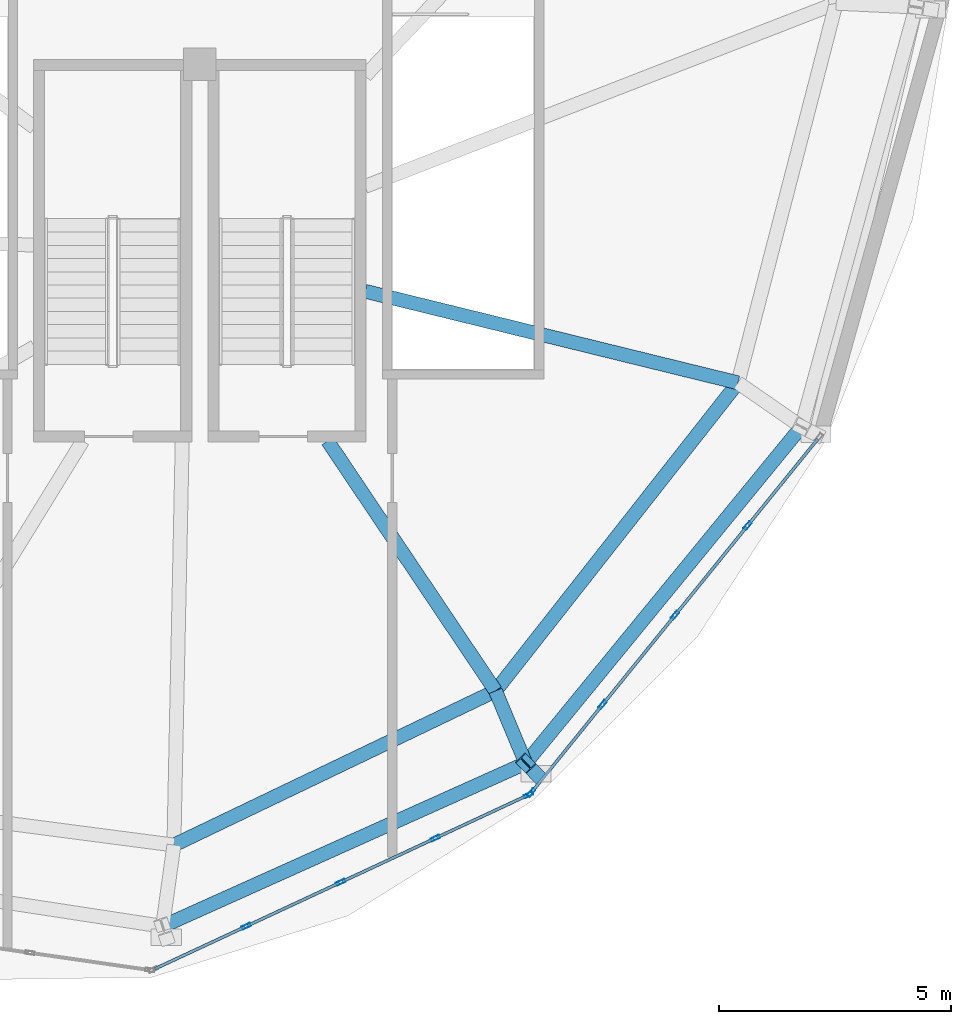
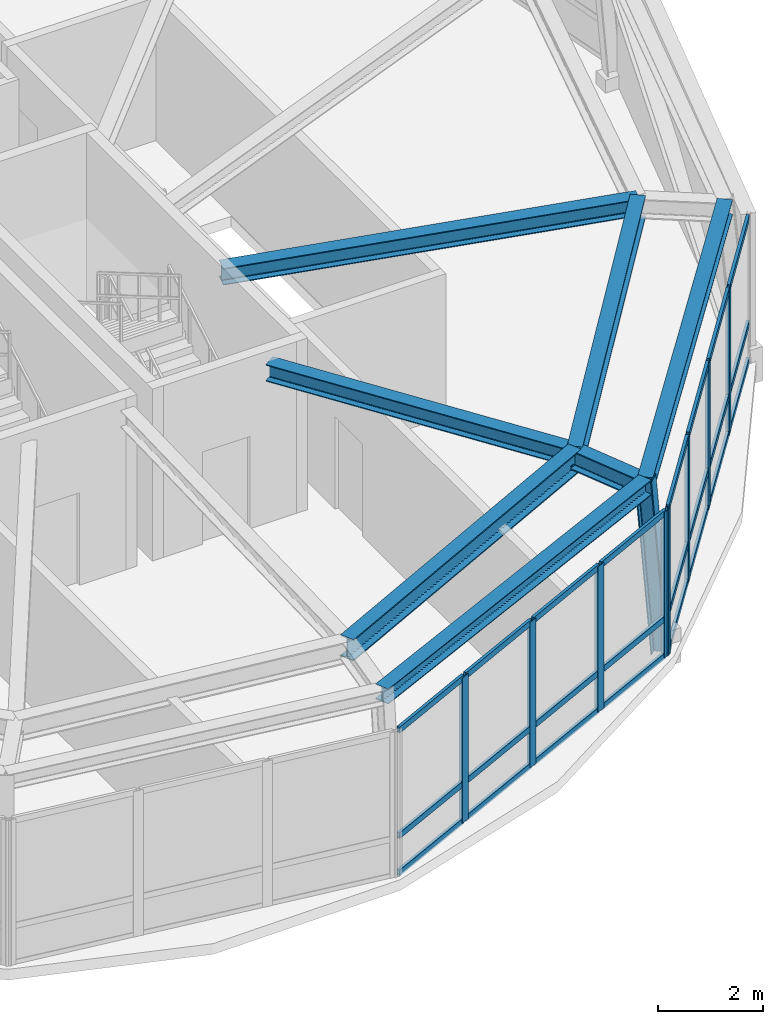
# One storey, part 4 of 14: 33 members, 7 beams, 2 elements without a shape of their own.
"""IFC4 building model written with IfcOpenShell, lengths in metres."""

import ifcopenshell
import ifcopenshell.guid

model = None  # the IFC model being written
_history = None  # IfcOwnerHistory: only IFC2X3 demands one
_inside = {}  # id of a spatial element -> (the spatial element, [elements in it])
_under = {}  # id of a project, library or spatial element -> (it, [spatial elements below it])
_declared = {}  # id of a project -> (the project, [libraries it declares])
_typed = {}  # id of a type object -> (the type object, [elements of that type])
_made_of = {}  # id of a material, layer set ... -> (it, [elements and type objects made of it])


def new_model(schema):
    """Start an empty IFC model of exactly this schema.

    Asked for "IFC4X3", IfcOpenShell would pick the latest addendum, in which some entities
    have other attributes; the version numbers below select the first issue.
    IFC2X3 requires an IfcOwnerHistory on every rooted entity: one is made here for all.
    """
    global model, _history
    if schema == "IFC4X3":
        model = ifcopenshell.file(schema_version=(4, 3, 0, 0))
    else:
        model = ifcopenshell.file(schema=schema)
    _inside.clear()
    _under.clear()
    _declared.clear()
    _typed.clear()
    _made_of.clear()
    _history = None
    if model.schema == "IFC2X3":
        org = make("IfcOrganization", Name="unknown")
        user = make(
            "IfcPersonAndOrganization",
            ThePerson=make("IfcPerson", FamilyName="unknown"),
            TheOrganization=org,
        )
        app = make(
            "IfcApplication",
            ApplicationDeveloper=org,
            Version="unknown",
            ApplicationFullName="unknown",
            ApplicationIdentifier="unknown",
        )
        _history = make(
            "IfcOwnerHistory",
            OwningUser=user,
            OwningApplication=app,
            ChangeAction="ADDED",
            CreationDate=0,
        )
    return model


def make(cls, **values):
    """One entity of the class cls with the attributes given. An attribute that is None is left unset."""
    return model.create_entity(
        cls, **{name: value for name, value in values.items() if value is not None}
    )


def rooted(cls, **values):
    """An entity with a GlobalId (a new one), such as an element, a storey or a relation."""
    return make(cls, GlobalId=ifcopenshell.guid.new(), OwnerHistory=_history, **values)


def si_unit(unit_type, name, prefix=None):
    """IfcSIUnit, for example si_unit("LENGTHUNIT", "METRE", prefix="MILLI")."""
    return make("IfcSIUnit", UnitType=unit_type, Prefix=prefix, Name=name)


def assignment(units):
    """IfcUnitAssignment: the units of a project."""
    return None if units is None else make("IfcUnitAssignment", Units=units)


def point(xyz):
    """IfcCartesianPoint."""
    return None if xyz is None else make("IfcCartesianPoint", Coordinates=xyz)


def direction(xyz):
    """IfcDirection."""
    return None if xyz is None else make("IfcDirection", DirectionRatios=xyz)


def frame(location, z_axis=None, x_axis=None):
    """IfcAxis2Placement3D, a coordinate frame: its origin and axes. An axis left out is left unset."""
    return make(
        "IfcAxis2Placement3D",
        Location=point(location),
        Axis=direction(z_axis),
        RefDirection=direction(x_axis),
    )


def frame_2d(location, x_axis=None):
    """IfcAxis2Placement2D, a coordinate frame in the plane: its origin and x axis."""
    return make(
        "IfcAxis2Placement2D", Location=point(location), RefDirection=direction(x_axis)
    )


def origin():
    """The frame at (0, 0, 0) with its axes left unset."""
    return frame((0.0, 0.0, 0.0))


def origin_2d():
    """The frame at (0, 0) in the plane with its x axis left unset."""
    return frame_2d((0.0, 0.0))


def place(relative_to, where):
    """IfcLocalPlacement: puts the frame where relative to a parent placement (None: the world)."""
    return make(
        "IfcLocalPlacement", PlacementRelTo=relative_to, RelativePlacement=where
    )


def context(
    kind, dimensions, precision=None, world=None, true_north=None, identifier=None
):
    """IfcGeometricRepresentationContext, for example the 3D "Model" context."""
    return make(
        "IfcGeometricRepresentationContext",
        ContextIdentifier=identifier,
        ContextType=kind,
        CoordinateSpaceDimension=dimensions,
        Precision=precision,
        WorldCoordinateSystem=world,
        TrueNorth=true_north,
    )


def subcontext(parent, identifier, kind, view, scale=None):
    """IfcGeometricRepresentationSubContext, for example "Body" below "Model"."""
    return make(
        "IfcGeometricRepresentationSubContext",
        ContextIdentifier=identifier,
        ContextType=kind,
        ParentContext=parent,
        TargetScale=scale,
        TargetView=view,
    )


def project(units=None, contexts=None):
    """IfcProject with its units and contexts."""
    return rooted(
        "IfcProject",
        Name="project",
        RepresentationContexts=contexts,
        UnitsInContext=assignment(units),
    )


def spatial(cls, under=None, at=None, **own):
    """A site, building, storey or space (cls), placed at a placement, below another one or the project."""
    s = rooted(cls, ObjectPlacement=at, **own)
    if under is not None:
        _under.setdefault(under.id(), (under, []))[1].append(s)
    return s


def profile(cls, at=None, kind="AREA", **sizes):
    """A parametric profile (cls). Its sizes go by their IFC names, for example OverallWidth=200.0."""
    return make(cls, ProfileType=kind, Position=at, **sizes)


def hollow_rectangle(**sizes):
    """IfcRectangleHollowProfileDef."""
    return profile("IfcRectangleHollowProfileDef", **sizes)


def i_section(**sizes):
    """IfcIShapeProfileDef."""
    return profile("IfcIShapeProfileDef", **sizes)


def extrude(swept, where, along, depth):
    """IfcExtrudedAreaSolid: the profile swept, set in the frame where, extruded along a direction by depth."""
    return make(
        "IfcExtrudedAreaSolid",
        SweptArea=swept,
        Position=where,
        ExtrudedDirection=direction(along),
        Depth=depth,
    )


def shape(context_of_items, identifier, shape_type, items):
    """IfcShapeRepresentation: the items that make up one representation, for example the "Body"."""
    return make(
        "IfcShapeRepresentation",
        ContextOfItems=context_of_items,
        RepresentationIdentifier=identifier,
        RepresentationType=shape_type,
        Items=items,
    )


def material(Name=None, Category=None):
    """IfcMaterial."""
    return make("IfcMaterial", Name=Name, Category=Category)


def layer(
    of_material, thickness, ventilated=None, Name=None, Category=None, Priority=None
):
    """IfcMaterialLayer: one layer of a wall or slab, of a material (None: an air gap)."""
    return make(
        "IfcMaterialLayer",
        Material=of_material,
        LayerThickness=thickness,
        IsVentilated=ventilated,
        Name=Name,
        Category=Category,
        Priority=Priority,
    )


def layer_set(layers, Name=None):
    """IfcMaterialLayerSet."""
    return make("IfcMaterialLayerSet", MaterialLayers=layers, LayerSetName=Name)


def material_profile(
    of_material, cross_section, Name=None, Category=None, Priority=None
):
    """IfcMaterialProfile: a cross section and its material."""
    return make(
        "IfcMaterialProfile",
        Name=Name,
        Material=of_material,
        Profile=cross_section,
        Priority=Priority,
        Category=Category,
    )


def profile_set(profiles, Name=None, composite=None):
    """IfcMaterialProfileSet."""
    return make(
        "IfcMaterialProfileSet",
        Name=Name,
        MaterialProfiles=profiles,
        CompositeProfile=composite,
    )


def made_of(thing, what):
    """Note that an element or type object is made of a material, layer set ...; save() writes the relation."""
    if what is not None:
        _made_of.setdefault(what.id(), (what, []))[1].append(thing)
    return thing


def type_object(cls, material=None, **own):
    """A type object (cls), such as IfcWallType, which elements share."""
    return made_of(rooted(cls, **own), material)


def element(
    cls,
    number,
    at=None,
    inside=None,
    cuts=None,
    type_object=None,
    material=None,
    context=None,
    identifier="Body",
    shape_type=None,
    held_by="IfcProductDefinitionShape",
    body=None,
    shapes=None,
    **own,
):
    """One element of the class cls, such as IfcWall. Its Tag is "e" and its number.

    at: its placement. inside: the storey or other place that contains it. cuts: it is an
    opening in that element (IfcRelVoidsElement). A single representation is given by context,
    identifier, shape_type and body (its items); several are given by shapes. held_by: the class
    of the entity that holds the representations. save() writes the other relations.
    """
    e = rooted(cls, Tag="e%d" % number, ObjectPlacement=at, **own)
    if body is not None:
        shapes = [shape(context, identifier, shape_type, body)]
    if shapes is not None:
        e.Representation = make(held_by, Representations=shapes)
    if inside is not None:
        _inside.setdefault(inside.id(), (inside, []))[1].append(e)
    if cuts is not None:
        rooted(
            "IfcRelVoidsElement", RelatingBuildingElement=cuts, RelatedOpeningElement=e
        )
    if type_object is not None:
        _typed.setdefault(type_object.id(), (type_object, []))[1].append(e)
    return made_of(e, material)


def aggregate(whole, parts):
    """IfcRelAggregates: a whole, such as a stair, and the parts it consists of."""
    return rooted("IfcRelAggregates", RelatingObject=whole, RelatedObjects=parts)


def save(model, path):
    """Write the relations noted so far, then the file.

    IfcRelAggregates (storeys below a building ...), IfcRelContainedInSpatialStructure (elements
    in a storey), IfcRelDefinesByType, IfcRelAssociatesMaterial and IfcRelDeclares: one each for
    every whole, place, type object, material and project.
    """
    for whole, parts in _under.values():
        aggregate(whole, parts)
    for where, things in _inside.values():
        rooted(
            "IfcRelContainedInSpatialStructure",
            RelatedElements=things,
            RelatingStructure=where,
        )
    for kind, things in _typed.values():
        rooted("IfcRelDefinesByType", RelatedObjects=things, RelatingType=kind)
    for what, things in _made_of.values():
        rooted("IfcRelAssociatesMaterial", RelatedObjects=things, RelatingMaterial=what)
    for by, libraries in _declared.values():
        rooted("IfcRelDeclares", RelatingContext=by, RelatedDefinitions=libraries)
    model.write(path)


model = new_model("IFC4")

# Units and contexts
model_context = context("Model", 3, precision=1e-05, world=origin(), true_north=direction((0.0, 1.0)))
body_context = subcontext(model_context, "Body", "Model", "MODEL_VIEW")
ifc_project = project(units=[si_unit("LENGTHUNIT", "METRE"), si_unit("AREAUNIT", "SQUARE_METRE"), si_unit("VOLUMEUNIT", "CUBIC_METRE"), si_unit("PLANEANGLEUNIT", "RADIAN"), si_unit("MASSUNIT", "GRAM", prefix="KILO"), si_unit("THERMODYNAMICTEMPERATUREUNIT", "KELVIN"), si_unit("POWERUNIT", "WATT")], contexts=[model_context])

# Site, building, storey
site_placement = place(None, origin())
site = spatial("IfcSite", under=ifc_project, at=site_placement, CompositionType="ELEMENT")
building_placement = place(site_placement, origin())
building = spatial("IfcBuilding", under=site, at=building_placement, Name="Ocrelia Relay Tower", CompositionType="ELEMENT")
storey_placement = place(building_placement, frame((0.0, 0.0, 288.0)))
storey = spatial("IfcBuildingStorey", under=building, at=storey_placement, Name="L72", CompositionType="ELEMENT", Elevation=288.0)

# Beams
ifc_material_1 = material(Name="Steel S355", Category="steel")
ifc_material_profile_1 = material_profile(ifc_material_1, i_section(OverallWidth=0.300048828125, OverallDepth=0.35009765625, WebThickness=0.010009765625, FlangeThickness=0.017578125, FilletRadius=0.027099609375, at=origin_2d()), Name="HEA 360")
ifc_profile_set_1 = profile_set([ifc_material_profile_1], Name="Steel S355")
beam_type_1 = type_object("IfcBeamType", Name="BM-HEA360", PredefinedType="SPANDREL", material=ifc_profile_set_1)
beam_1_placement = place(storey_placement, frame((33.1982421875, 8.5302734375, 3.574951171875), z_axis=(0.9121666928, 0.409819380394, 0.0), x_axis=(-0.409819380394, 0.9121666928, 0.0)))
element("IfcBeam", 1, at=beam_1_placement, inside=storey, type_object=beam_type_1, Name="L72 Crown Faceted Ring Beam R08", PredefinedType="SPANDREL", context=body_context, shape_type="SweptSolid", body=[
    extrude(i_section(OverallWidth=0.300048828125, OverallDepth=0.35009765625, WebThickness=0.010009765625, FlangeThickness=0.017578125, FilletRadius=0.027099609375, at=origin_2d()), origin(), (0.0, 0.0, 1.0), 8.583251953125),
])
beam_2_placement = place(storey_placement, frame((41.027587890625, 12.0478515625, 3.574951171875), z_axis=(0.633855479767, 0.773451505118, 0.0), x_axis=(-0.773451505118, 0.633855479767, 0.0)))
element("IfcBeam", 2, at=beam_2_placement, inside=storey, type_object=beam_type_1, Name="L72 Crown Faceted Ring Beam R09", PredefinedType="SPANDREL", context=body_context, shape_type="SweptSolid", body=[
    extrude(i_section(OverallWidth=0.300048828125, OverallDepth=0.35009765625, WebThickness=0.010009765625, FlangeThickness=0.017578125, FilletRadius=0.027099609375, at=origin_2d()), origin(), (0.0, 0.0, 1.0), 9.381103515625),
])
ifc_material_profile_2 = material_profile(ifc_material_1, i_section(OverallWidth=0.300048828125, OverallDepth=0.389892578125, WebThickness=0.010986328125, FlangeThickness=0.01904296875, FilletRadius=0.027099609375, at=origin_2d()), Name="HEA 400")
ifc_profile_set_2 = profile_set([ifc_material_profile_2], Name="Steel S355")
beam_type_2 = type_object("IfcBeamType", Name="BM-HEA400", PredefinedType="SPANDREL", material=ifc_profile_set_2)
beam_3_placement = place(storey_placement, frame((40.376953125, 13.60693359375, 3.554931640625), z_axis=(-0.55760454059, 0.830106725857, 0.0), x_axis=(-0.830106725857, -0.55760454059, 0.0)))
element("IfcBeam", 3, at=beam_3_placement, inside=storey, type_object=beam_type_2, Name="L72 Crown Radial Floor Beam 09", PredefinedType="SPANDREL", context=body_context, shape_type="SweptSolid", body=[
    extrude(i_section(OverallWidth=0.300048828125, OverallDepth=0.389892578125, WebThickness=0.010986328125, FlangeThickness=0.01904296875, FilletRadius=0.027099609375, at=origin_2d()), origin(), (0.0, 0.0, 1.0), 6.490966796875),
])
beam_4_placement = place(storey_placement, frame((45.6044921875, 20.252197265625, 3.554931640625), z_axis=(-0.971184703115, 0.238328077312, 0.0), x_axis=(-0.238328077312, -0.971184703115, 0.0)))
element("IfcBeam", 4, at=beam_4_placement, inside=storey, type_object=beam_type_2, Name="L72 Crown Radial Floor Beam 10", PredefinedType="SPANDREL", context=body_context, shape_type="SweptSolid", body=[
    extrude(i_section(OverallWidth=0.300048828125, OverallDepth=0.389892578125, WebThickness=0.010986328125, FlangeThickness=0.01904296875, FilletRadius=0.027099609375, at=origin_2d()), origin(), (0.0, 0.0, 1.0), 8.278076171875),
])
ifc_material_profile_3 = material_profile(ifc_material_1, i_section(OverallWidth=0.300048828125, OverallDepth=0.449951171875, WebThickness=0.013916015625, FlangeThickness=0.02587890625, FilletRadius=0.027099609375, at=origin_2d()), Name="HEB 450")
ifc_profile_set_3 = profile_set([ifc_material_profile_3], Name="Steel S355")
beam_type_3 = type_object("IfcBeamType", Name="BM-HEB450", PredefinedType="BEAM", material=ifc_profile_set_3)
beam_5_placement = place(storey_placement, frame((41.027587890625, 12.0478515625, 3.52490234375), z_axis=(-0.385128390769, 0.922863003172, 0.0), x_axis=(-0.922863003172, -0.385128390769, 0.0)))
element("IfcBeam", 5, at=beam_5_placement, inside=storey, type_object=beam_type_3, Name="L72 Crown Step Radial Beam ST09", PredefinedType="BEAM", context=body_context, shape_type="SweptSolid", body=[
    extrude(i_section(OverallWidth=0.300048828125, OverallDepth=0.449951171875, WebThickness=0.013916015625, FlangeThickness=0.02587890625, FilletRadius=0.027099609375, at=origin_2d()), origin(), (0.0, 0.0, 1.0), 1.689453125),
])
ifc_material_profile_4 = material_profile(ifc_material_1, i_section(OverallWidth=0.300048828125, OverallDepth=0.5, WebThickness=0.014404296875, FlangeThickness=0.028076171875, FilletRadius=0.027099609375, at=origin_2d()), Name="HEB 500")
ifc_profile_set_4 = profile_set([ifc_material_profile_4], Name="Steel S355")
beam_type_4 = type_object("IfcBeamType", Name="BM-HEB500", PredefinedType="BEAM", material=ifc_profile_set_4)
beam_6_placement = place(storey_placement, frame((33.440673828125, 10.282470703125, 3.5), z_axis=(0.901774021488, 0.432207836775, 0.0), x_axis=(-0.432207836775, 0.901774021488, 0.0)))
element("IfcBeam", 6, at=beam_6_placement, inside=storey, type_object=beam_type_4, Name="L72 Crown Step Perimeter Ring Beam SR08", PredefinedType="BEAM", context=body_context, shape_type="SweptSolid", body=[
    extrude(i_section(OverallWidth=0.300048828125, OverallDepth=0.5, WebThickness=0.014404296875, FlangeThickness=0.028076171875, FilletRadius=0.027099609375, at=origin_2d()), origin(), (0.0, 0.0, 1.0), 7.69189453125),
])
beam_7_placement = place(storey_placement, frame((40.376953125, 13.60693359375, 3.5), z_axis=(0.6182792629, 0.785958493222, 0.0), x_axis=(-0.785958493222, 0.6182792629, 0.0)))
element("IfcBeam", 7, at=beam_7_placement, inside=storey, type_object=beam_type_4, Name="L72 Crown Step Perimeter Ring Beam SR09", PredefinedType="BEAM", context=body_context, shape_type="SweptSolid", body=[
    extrude(i_section(OverallWidth=0.300048828125, OverallDepth=0.5, WebThickness=0.014404296875, FlangeThickness=0.028076171875, FilletRadius=0.027099609375, at=origin_2d()), origin(), (0.0, 0.0, 1.0), 8.455078125),
])

# Curtain wall, members
ifc_material_2 = material(Name="Aluminium and solar-control low-E glass", Category="aluminium")
ifc_layer = layer(ifc_material_2, 0.179931640625, Name="Aluminium and solar-control low-E glass")
ifc_layer_set = layer_set([ifc_layer], Name="Aluminium and solar-control low-E glass")
curtain_wall_type = type_object("IfcCurtainWallType", Name="CW-SYS-CROWN-PT", PredefinedType="NOTDEFINED", material=ifc_layer_set)
curtain_wall_1_placement = place(storey_placement, origin())
curtain_wall_1 = element("IfcCurtainWall", 8, at=curtain_wall_1_placement, inside=storey, type_object=curtain_wall_type, Name="L72 Faceted Glass-Point Crown Curtain Wall 08", PredefinedType="NOTDEFINED")
ifc_material_3 = material(Name="Anodised bronze aluminium", Category="aluminium")
ifc_material_profile_5 = material_profile(ifc_material_3, hollow_rectangle(XDim=0.074951171875, YDim=0.199951171875, WallThickness=0.006103515625, at=origin_2d()), Name="CW-MUL-200x75")
ifc_profile_set_5 = profile_set([ifc_material_profile_5], Name="Anodised bronze aluminium")
member_type_1 = type_object("IfcMemberType", Name="CW-SYS-CROWN-PT-MUL", PredefinedType="MULLION", material=ifc_profile_set_5)
member_1_placement = place(storey_placement, frame((35.00146484375, 8.530517578125, 0.0), z_axis=(0.0, 0.0, 1.0), x_axis=(-0.422115373786, 0.906542117727, 0.0)))
member_1 = element("IfcMember", 9, at=member_1_placement, type_object=member_type_1, Name="CW-CR mullion 2", PredefinedType="MULLION", context=body_context, shape_type="SweptSolid", body=[
    extrude(hollow_rectangle(XDim=0.074951171875, YDim=0.199951171875, WallThickness=0.006103515625, at=origin_2d()), origin(), (0.0, 0.0, 1.0), 3.389892578125),
])
member_2_placement = place(storey_placement, frame((37.04150390625, 9.48046875, 0.0), z_axis=(0.0, 0.0, 1.0), x_axis=(-0.422115373786, 0.906542117727, 0.0)))
member_2 = element("IfcMember", 10, at=member_2_placement, type_object=member_type_1, Name="CW-CR mullion 3", PredefinedType="MULLION", context=body_context, shape_type="SweptSolid", body=[
    extrude(hollow_rectangle(XDim=0.074951171875, YDim=0.199951171875, WallThickness=0.006103515625, at=origin_2d()), origin(), (0.0, 0.0, 1.0), 3.389892578125),
])
member_3_placement = place(storey_placement, frame((39.08154296875, 10.430419921875, 0.0), z_axis=(0.0, 0.0, 1.0), x_axis=(-0.422115373786, 0.906542117727, 0.0)))
member_3 = element("IfcMember", 11, at=member_3_placement, type_object=member_type_1, Name="CW-CR mullion 4", PredefinedType="MULLION", context=body_context, shape_type="SweptSolid", body=[
    extrude(hollow_rectangle(XDim=0.074951171875, YDim=0.199951171875, WallThickness=0.006103515625, at=origin_2d()), origin(), (0.0, 0.0, 1.0), 3.389892578125),
])
member_4_placement = place(storey_placement, frame((41.087646484375, 11.364501953125, 0.0), z_axis=(0.0, 0.0, 1.0), x_axis=(-0.422115373786, 0.906542117727, 0.0)))
member_4 = element("IfcMember", 12, at=member_4_placement, type_object=member_type_1, Name="CW-CR mullion 5", PredefinedType="MULLION", context=body_context, shape_type="SweptSolid", body=[
    extrude(hollow_rectangle(XDim=0.074951171875, YDim=0.199951171875, WallThickness=0.006103515625, at=origin_2d()), origin(), (0.0, 0.0, 1.0), 3.389892578125),
])

curtain_wall_2_placement = place(storey_placement, origin())
curtain_wall_2 = element("IfcCurtainWall", 13, at=curtain_wall_2_placement, inside=storey, type_object=curtain_wall_type, Name="L72 Faceted Glass-Point Crown Curtain Wall 09", PredefinedType="NOTDEFINED")
member_5_placement = place(storey_placement, frame((41.145263671875, 11.409423828125, 0.0), z_axis=(0.0, 0.0, 1.0), x_axis=(-0.776998377229, 0.629502598711, 0.0)))
member_5 = element("IfcMember", 14, at=member_5_placement, type_object=member_type_1, Name="CW-CR mullion 1", PredefinedType="MULLION", context=body_context, shape_type="SweptSolid", body=[
    extrude(hollow_rectangle(XDim=0.074951171875, YDim=0.199951171875, WallThickness=0.006103515625, at=origin_2d()), origin(), (0.0, 0.0, 1.0), 3.389892578125),
])
member_6_placement = place(storey_placement, frame((42.6845703125, 13.3095703125, 0.0), z_axis=(0.0, 0.0, 1.0), x_axis=(-0.776998377229, 0.629502598711, 0.0)))
member_6 = element("IfcMember", 15, at=member_6_placement, type_object=member_type_1, Name="CW-CR mullion 2", PredefinedType="MULLION", context=body_context, shape_type="SweptSolid", body=[
    extrude(hollow_rectangle(XDim=0.074951171875, YDim=0.199951171875, WallThickness=0.006103515625, at=origin_2d()), origin(), (0.0, 0.0, 1.0), 3.389892578125),
])
member_7_placement = place(storey_placement, frame((44.24755859375, 15.23876953125, 0.0), z_axis=(0.0, 0.0, 1.0), x_axis=(-0.776998377229, 0.629502598711, 0.0)))
member_7 = element("IfcMember", 16, at=member_7_placement, type_object=member_type_1, Name="CW-CR mullion 3", PredefinedType="MULLION", context=body_context, shape_type="SweptSolid", body=[
    extrude(hollow_rectangle(XDim=0.074951171875, YDim=0.199951171875, WallThickness=0.006103515625, at=origin_2d()), origin(), (0.0, 0.0, 1.0), 3.389892578125),
])
member_8_placement = place(storey_placement, frame((45.810791015625, 17.16796875, 0.0), z_axis=(0.0, 0.0, 1.0), x_axis=(-0.776998377229, 0.629502598711, 0.0)))
member_8 = element("IfcMember", 17, at=member_8_placement, type_object=member_type_1, Name="CW-CR mullion 4", PredefinedType="MULLION", context=body_context, shape_type="SweptSolid", body=[
    extrude(hollow_rectangle(XDim=0.074951171875, YDim=0.199951171875, WallThickness=0.006103515625, at=origin_2d()), origin(), (0.0, 0.0, 1.0), 3.389892578125),
])

# Member
ifc_material_profile_6 = material_profile(ifc_material_3, hollow_rectangle(XDim=0.06494140625, YDim=0.139892578125, WallThickness=0.0048828125, at=origin_2d()), Name="CW-TRN-140x65")
ifc_profile_set_6 = profile_set([ifc_material_profile_6], Name="Anodised bronze aluminium")
member_type_2 = type_object("IfcMemberType", Name="CW-SYS-CROWN-PT-TRN", PredefinedType="USERDEFINED", material=ifc_profile_set_6)
member_9_placement = place(storey_placement, frame((33.029296875, 7.6123046875, 0.032470703125), z_axis=(0.906550417388, 0.422097548837, 0.0), x_axis=(-0.422097548837, 0.906550417388, 0.0)))
member_9 = element("IfcMember", 18, at=member_9_placement, type_object=member_type_2, Name="CW-CR transom 1.1", ObjectType="TRANSOM", PredefinedType="USERDEFINED", context=body_context, shape_type="SweptSolid", body=[
    extrude(hollow_rectangle(XDim=0.06494140625, YDim=0.139892578125, WallThickness=0.0048828125, at=origin_2d()), origin(), (0.0, 0.0, 1.0), 2.1376953125),
])

member_10_placement = place(storey_placement, frame((33.029296875, 7.6123046875, 0.89990234375), z_axis=(0.906550417388, 0.422097548837, 0.0), x_axis=(-0.422097548837, 0.906550417388, 0.0)))
member_10 = element("IfcMember", 19, at=member_10_placement, type_object=member_type_2, Name="CW-CR transom 1.2", ObjectType="TRANSOM", PredefinedType="USERDEFINED", context=body_context, shape_type="SweptSolid", body=[
    extrude(hollow_rectangle(XDim=0.06494140625, YDim=0.139892578125, WallThickness=0.0048828125, at=origin_2d()), origin(), (0.0, 0.0, 1.0), 2.1376953125),
])

member_11_placement = place(storey_placement, frame((33.029296875, 7.6123046875, 3.357421875), z_axis=(0.906550417388, 0.422097548837, 0.0), x_axis=(-0.422097548837, 0.906550417388, 0.0)))
member_11 = element("IfcMember", 20, at=member_11_placement, type_object=member_type_2, Name="CW-CR transom 1.3", ObjectType="TRANSOM", PredefinedType="USERDEFINED", context=body_context, shape_type="SweptSolid", body=[
    extrude(hollow_rectangle(XDim=0.06494140625, YDim=0.139892578125, WallThickness=0.0048828125, at=origin_2d()), origin(), (0.0, 0.0, 1.0), 2.1376953125),
])

member_12_placement = place(storey_placement, frame((35.035400390625, 8.54638671875, 0.032470703125), z_axis=(0.906558369714, 0.422080468989, 0.0), x_axis=(-0.422080468989, 0.906558369714, 0.0)))
member_12 = element("IfcMember", 21, at=member_12_placement, type_object=member_type_2, Name="CW-CR transom 2.1", ObjectType="TRANSOM", PredefinedType="USERDEFINED", context=body_context, shape_type="SweptSolid", body=[
    extrude(hollow_rectangle(XDim=0.06494140625, YDim=0.139892578125, WallThickness=0.0048828125, at=origin_2d()), origin(), (0.0, 0.0, 1.0), 2.175537109375),
])

member_13_placement = place(storey_placement, frame((35.035400390625, 8.54638671875, 0.89990234375), z_axis=(0.906558369714, 0.422080468989, 0.0), x_axis=(-0.422080468989, 0.906558369714, 0.0)))
member_13 = element("IfcMember", 22, at=member_13_placement, type_object=member_type_2, Name="CW-CR transom 2.2", ObjectType="TRANSOM", PredefinedType="USERDEFINED", context=body_context, shape_type="SweptSolid", body=[
    extrude(hollow_rectangle(XDim=0.06494140625, YDim=0.139892578125, WallThickness=0.0048828125, at=origin_2d()), origin(), (0.0, 0.0, 1.0), 2.175537109375),
])

member_14_placement = place(storey_placement, frame((35.035400390625, 8.54638671875, 3.357421875), z_axis=(0.906558369714, 0.422080468989, 0.0), x_axis=(-0.422080468989, 0.906558369714, 0.0)))
member_14 = element("IfcMember", 23, at=member_14_placement, type_object=member_type_2, Name="CW-CR transom 2.3", ObjectType="TRANSOM", PredefinedType="USERDEFINED", context=body_context, shape_type="SweptSolid", body=[
    extrude(hollow_rectangle(XDim=0.06494140625, YDim=0.139892578125, WallThickness=0.0048828125, at=origin_2d()), origin(), (0.0, 0.0, 1.0), 2.175537109375),
])

member_15_placement = place(storey_placement, frame((37.075439453125, 9.496337890625, 0.032470703125), z_axis=(0.906558369714, 0.422080468989, 0.0), x_axis=(-0.422080468989, 0.906558369714, 0.0)))
member_15 = element("IfcMember", 24, at=member_15_placement, type_object=member_type_2, Name="CW-CR transom 3.1", ObjectType="TRANSOM", PredefinedType="USERDEFINED", context=body_context, shape_type="SweptSolid", body=[
    extrude(hollow_rectangle(XDim=0.06494140625, YDim=0.139892578125, WallThickness=0.0048828125, at=origin_2d()), origin(), (0.0, 0.0, 1.0), 2.175537109375),
])

member_16_placement = place(storey_placement, frame((37.075439453125, 9.496337890625, 0.89990234375), z_axis=(0.906558369714, 0.422080468989, 0.0), x_axis=(-0.422080468989, 0.906558369714, 0.0)))
member_16 = element("IfcMember", 25, at=member_16_placement, type_object=member_type_2, Name="CW-CR transom 3.2", ObjectType="TRANSOM", PredefinedType="USERDEFINED", context=body_context, shape_type="SweptSolid", body=[
    extrude(hollow_rectangle(XDim=0.06494140625, YDim=0.139892578125, WallThickness=0.0048828125, at=origin_2d()), origin(), (0.0, 0.0, 1.0), 2.175537109375),
])

member_17_placement = place(storey_placement, frame((37.075439453125, 9.496337890625, 3.357421875), z_axis=(0.906558369714, 0.422080468989, 0.0), x_axis=(-0.422080468989, 0.906558369714, 0.0)))
member_17 = element("IfcMember", 26, at=member_17_placement, type_object=member_type_2, Name="CW-CR transom 3.3", ObjectType="TRANSOM", PredefinedType="USERDEFINED", context=body_context, shape_type="SweptSolid", body=[
    extrude(hollow_rectangle(XDim=0.06494140625, YDim=0.139892578125, WallThickness=0.0048828125, at=origin_2d()), origin(), (0.0, 0.0, 1.0), 2.175537109375),
])

member_18_placement = place(storey_placement, frame((39.115478515625, 10.4462890625, 0.032470703125), z_axis=(0.906570761516, 0.422053852445, 0.0), x_axis=(-0.422053852445, 0.906570761516, 0.0)))
member_18 = element("IfcMember", 27, at=member_18_placement, type_object=member_type_2, Name="CW-CR transom 4.1", ObjectType="TRANSOM", PredefinedType="USERDEFINED", context=body_context, shape_type="SweptSolid", body=[
    extrude(hollow_rectangle(XDim=0.06494140625, YDim=0.139892578125, WallThickness=0.0048828125, at=origin_2d()), origin(), (0.0, 0.0, 1.0), 2.137939453125),
])

member_19_placement = place(storey_placement, frame((39.115478515625, 10.4462890625, 0.89990234375), z_axis=(0.906570761516, 0.422053852445, 0.0), x_axis=(-0.422053852445, 0.906570761516, 0.0)))
member_19 = element("IfcMember", 28, at=member_19_placement, type_object=member_type_2, Name="CW-CR transom 4.2", ObjectType="TRANSOM", PredefinedType="USERDEFINED", context=body_context, shape_type="SweptSolid", body=[
    extrude(hollow_rectangle(XDim=0.06494140625, YDim=0.139892578125, WallThickness=0.0048828125, at=origin_2d()), origin(), (0.0, 0.0, 1.0), 2.137939453125),
])

member_20_placement = place(storey_placement, frame((39.115478515625, 10.4462890625, 3.357421875), z_axis=(0.906570761516, 0.422053852445, 0.0), x_axis=(-0.422053852445, 0.906570761516, 0.0)))
member_20 = element("IfcMember", 29, at=member_20_placement, type_object=member_type_2, Name="CW-CR transom 4.3", ObjectType="TRANSOM", PredefinedType="USERDEFINED", context=body_context, shape_type="SweptSolid", body=[
    extrude(hollow_rectangle(XDim=0.06494140625, YDim=0.139892578125, WallThickness=0.0048828125, at=origin_2d()), origin(), (0.0, 0.0, 1.0), 2.137939453125),
])

aggregate(curtain_wall_1, [member_1, member_2, member_3, member_4, member_9, member_10, member_11, member_12, member_13, member_14, member_15, member_16, member_17, member_18, member_19, member_20])

member_21_placement = place(storey_placement, frame((41.168701171875, 11.4384765625, 0.032470703125), z_axis=(0.629518119404, 0.776985802536, 0.0), x_axis=(-0.776985802536, 0.629518119404, 0.0)))
member_21 = element("IfcMember", 30, at=member_21_placement, type_object=member_type_2, Name="CW-CR transom 1.1", ObjectType="TRANSOM", PredefinedType="USERDEFINED", context=body_context, shape_type="SweptSolid", body=[
    extrude(hollow_rectangle(XDim=0.06494140625, YDim=0.139892578125, WallThickness=0.0048828125, at=origin_2d()), origin(), (0.0, 0.0, 1.0), 2.370849609375),
])

member_22_placement = place(storey_placement, frame((41.168701171875, 11.4384765625, 0.89990234375), z_axis=(0.629518119404, 0.776985802536, 0.0), x_axis=(-0.776985802536, 0.629518119404, 0.0)))
member_22 = element("IfcMember", 31, at=member_22_placement, type_object=member_type_2, Name="CW-CR transom 1.2", ObjectType="TRANSOM", PredefinedType="USERDEFINED", context=body_context, shape_type="SweptSolid", body=[
    extrude(hollow_rectangle(XDim=0.06494140625, YDim=0.139892578125, WallThickness=0.0048828125, at=origin_2d()), origin(), (0.0, 0.0, 1.0), 2.370849609375),
])

member_23_placement = place(storey_placement, frame((41.168701171875, 11.4384765625, 3.357421875), z_axis=(0.629518119404, 0.776985802536, 0.0), x_axis=(-0.776985802536, 0.629518119404, 0.0)))
member_23 = element("IfcMember", 32, at=member_23_placement, type_object=member_type_2, Name="CW-CR transom 1.3", ObjectType="TRANSOM", PredefinedType="USERDEFINED", context=body_context, shape_type="SweptSolid", body=[
    extrude(hollow_rectangle(XDim=0.06494140625, YDim=0.139892578125, WallThickness=0.0048828125, at=origin_2d()), origin(), (0.0, 0.0, 1.0), 2.370849609375),
])

member_24_placement = place(storey_placement, frame((42.708251953125, 13.338623046875, 0.032470703125), z_axis=(0.629492752374, 0.777006354355, 0.0), x_axis=(-0.777006354355, 0.629492752374, 0.0)))
member_24 = element("IfcMember", 33, at=member_24_placement, type_object=member_type_2, Name="CW-CR transom 2.1", ObjectType="TRANSOM", PredefinedType="USERDEFINED", context=body_context, shape_type="SweptSolid", body=[
    extrude(hollow_rectangle(XDim=0.06494140625, YDim=0.139892578125, WallThickness=0.0048828125, at=origin_2d()), origin(), (0.0, 0.0, 1.0), 2.407958984375),
])

member_25_placement = place(storey_placement, frame((42.708251953125, 13.338623046875, 0.89990234375), z_axis=(0.629492752374, 0.777006354355, 0.0), x_axis=(-0.777006354355, 0.629492752374, 0.0)))
member_25 = element("IfcMember", 34, at=member_25_placement, type_object=member_type_2, Name="CW-CR transom 2.2", ObjectType="TRANSOM", PredefinedType="USERDEFINED", context=body_context, shape_type="SweptSolid", body=[
    extrude(hollow_rectangle(XDim=0.06494140625, YDim=0.139892578125, WallThickness=0.0048828125, at=origin_2d()), origin(), (0.0, 0.0, 1.0), 2.407958984375),
])

member_26_placement = place(storey_placement, frame((42.708251953125, 13.338623046875, 3.357421875), z_axis=(0.629492752374, 0.777006354355, 0.0), x_axis=(-0.777006354355, 0.629492752374, 0.0)))
member_26 = element("IfcMember", 35, at=member_26_placement, type_object=member_type_2, Name="CW-CR transom 2.3", ObjectType="TRANSOM", PredefinedType="USERDEFINED", context=body_context, shape_type="SweptSolid", body=[
    extrude(hollow_rectangle(XDim=0.06494140625, YDim=0.139892578125, WallThickness=0.0048828125, at=origin_2d()), origin(), (0.0, 0.0, 1.0), 2.407958984375),
])

member_27_placement = place(storey_placement, frame((44.271240234375, 15.267822265625, 0.032470703125), z_axis=(0.629492752374, 0.777006354355, 0.0), x_axis=(-0.777006354355, 0.629492752374, 0.0)))
member_27 = element("IfcMember", 36, at=member_27_placement, type_object=member_type_2, Name="CW-CR transom 3.1", ObjectType="TRANSOM", PredefinedType="USERDEFINED", context=body_context, shape_type="SweptSolid", body=[
    extrude(hollow_rectangle(XDim=0.06494140625, YDim=0.139892578125, WallThickness=0.0048828125, at=origin_2d()), origin(), (0.0, 0.0, 1.0), 2.407958984375),
])

member_28_placement = place(storey_placement, frame((44.271240234375, 15.267822265625, 0.89990234375), z_axis=(0.629492752374, 0.777006354355, 0.0), x_axis=(-0.777006354355, 0.629492752374, 0.0)))
member_28 = element("IfcMember", 37, at=member_28_placement, type_object=member_type_2, Name="CW-CR transom 3.2", ObjectType="TRANSOM", PredefinedType="USERDEFINED", context=body_context, shape_type="SweptSolid", body=[
    extrude(hollow_rectangle(XDim=0.06494140625, YDim=0.139892578125, WallThickness=0.0048828125, at=origin_2d()), origin(), (0.0, 0.0, 1.0), 2.407958984375),
])

member_29_placement = place(storey_placement, frame((44.271240234375, 15.267822265625, 3.357421875), z_axis=(0.629492752374, 0.777006354355, 0.0), x_axis=(-0.777006354355, 0.629492752374, 0.0)))
member_29 = element("IfcMember", 38, at=member_29_placement, type_object=member_type_2, Name="CW-CR transom 3.3", ObjectType="TRANSOM", PredefinedType="USERDEFINED", context=body_context, shape_type="SweptSolid", body=[
    extrude(hollow_rectangle(XDim=0.06494140625, YDim=0.139892578125, WallThickness=0.0048828125, at=origin_2d()), origin(), (0.0, 0.0, 1.0), 2.407958984375),
])

member_30_placement = place(storey_placement, frame((45.834228515625, 17.197265625, 0.032470703125), z_axis=(0.629506318117, 0.776995363854, 0.0), x_axis=(-0.776995363854, 0.629506318117, 0.0)))
member_30 = element("IfcMember", 39, at=member_30_placement, type_object=member_type_2, Name="CW-CR transom 4.1", ObjectType="TRANSOM", PredefinedType="USERDEFINED", context=body_context, shape_type="SweptSolid", body=[
    extrude(hollow_rectangle(XDim=0.06494140625, YDim=0.139892578125, WallThickness=0.0048828125, at=origin_2d()), origin(), (0.0, 0.0, 1.0), 2.370361328125),
])

member_31_placement = place(storey_placement, frame((45.834228515625, 17.197265625, 0.89990234375), z_axis=(0.629506318117, 0.776995363854, 0.0), x_axis=(-0.776995363854, 0.629506318117, 0.0)))
member_31 = element("IfcMember", 40, at=member_31_placement, type_object=member_type_2, Name="CW-CR transom 4.2", ObjectType="TRANSOM", PredefinedType="USERDEFINED", context=body_context, shape_type="SweptSolid", body=[
    extrude(hollow_rectangle(XDim=0.06494140625, YDim=0.139892578125, WallThickness=0.0048828125, at=origin_2d()), origin(), (0.0, 0.0, 1.0), 2.370361328125),
])

member_32_placement = place(storey_placement, frame((45.834228515625, 17.197265625, 3.357421875), z_axis=(0.629506318117, 0.776995363854, 0.0), x_axis=(-0.776995363854, 0.629506318117, 0.0)))
member_32 = element("IfcMember", 41, at=member_32_placement, type_object=member_type_2, Name="CW-CR transom 4.3", ObjectType="TRANSOM", PredefinedType="USERDEFINED", context=body_context, shape_type="SweptSolid", body=[
    extrude(hollow_rectangle(XDim=0.06494140625, YDim=0.139892578125, WallThickness=0.0048828125, at=origin_2d()), origin(), (0.0, 0.0, 1.0), 2.370361328125),
])

aggregate(curtain_wall_2, [member_5, member_6, member_7, member_8, member_21, member_22, member_23, member_24, member_25, member_26, member_27, member_28, member_29, member_30, member_31, member_32])

ifc_material_profile_7 = material_profile(ifc_material_1, i_section(OverallWidth=0.300048828125, OverallDepth=0.340087890625, WebThickness=0.011962890625, FlangeThickness=0.021484375, FilletRadius=0.027099609375, at=origin_2d()), Name="HEB 340")
ifc_profile_set_7 = profile_set([ifc_material_profile_7], Name="Steel S355")
member_type_3 = type_object("IfcMemberType", Name="MB-CROWN-RIB", PredefinedType="STRUT", material=ifc_profile_set_7)
member_33_placement = place(storey_placement, frame((41.2509765625, 11.81982421875, -0.25), z_axis=(-0.055670176399, 0.056826169133, 0.996830787025), x_axis=(-0.714335173314, -0.699803729746, 0.0)))
element("IfcMember", 42, at=member_33_placement, inside=storey, type_object=member_type_3, Name="L72 Crown Faceted Structural Strut Rib CR09", PredefinedType="STRUT", context=body_context, shape_type="SweptSolid", body=[
    extrude(i_section(OverallWidth=0.300048828125, OverallDepth=0.340087890625, WebThickness=0.011962890625, FlangeThickness=0.021484375, FilletRadius=0.027099609375, at=origin_2d()), origin(), (0.0, 0.0, 1.0), 4.0126953125),
])

save(model, "model.ifc")
